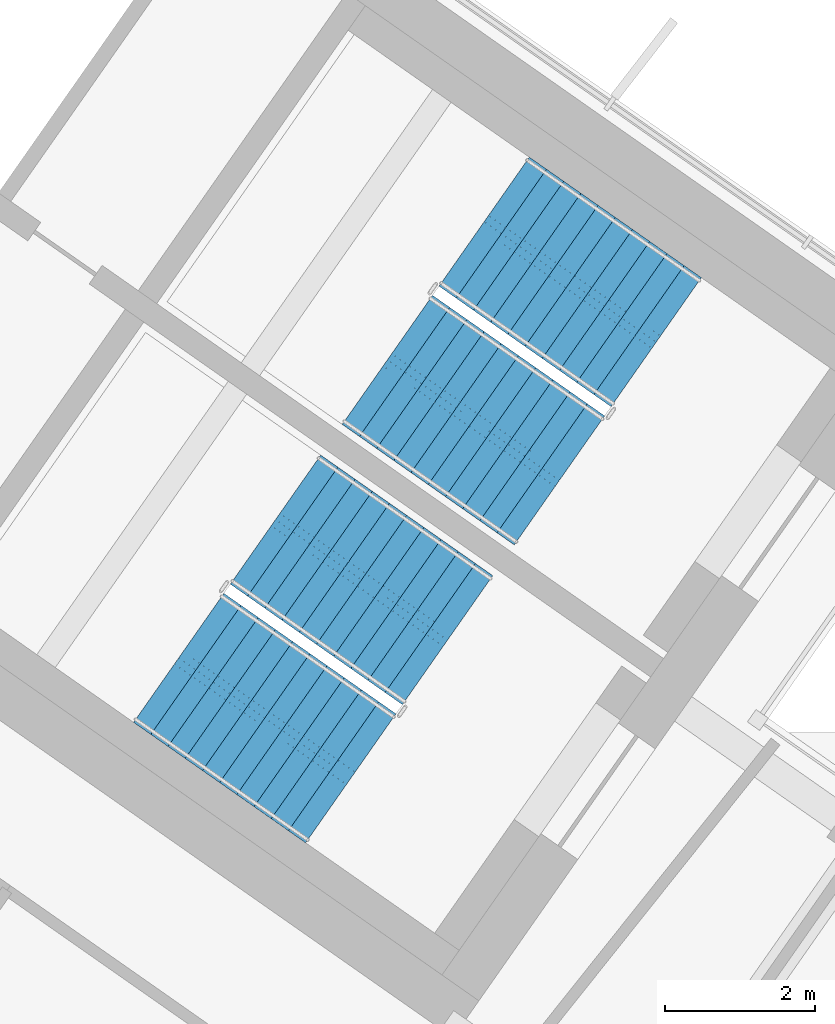
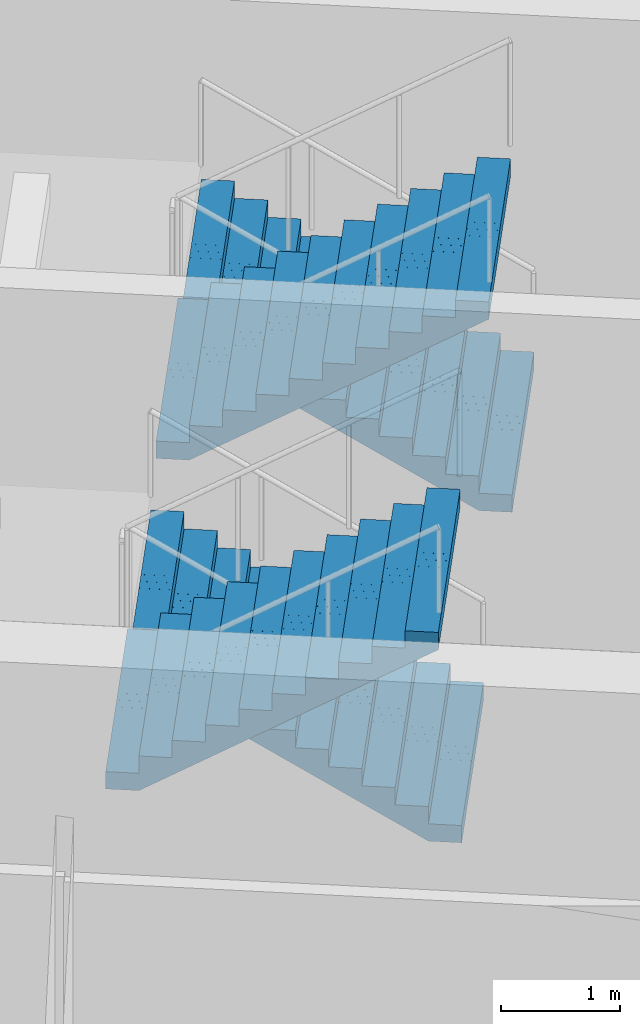
# One storey, part 12 of 18: 4 stair flights, 2 elements without a shape of their own.
"""IFC4 building model written with IfcOpenShell, lengths in metres."""

from ifc_helpers import new_model, si_unit, direction, frame, origin, place, context, subcontext, project, spatial, polyline, outline, extrude, material, type_object, element, aggregate, save


model = new_model("IFC4")

# Units and contexts
model_context = context("Model", 3, precision=1e-05, world=origin(), true_north=direction((0.0, 1.0)))
body_context = subcontext(model_context, "Body", "Model", "MODEL_VIEW")
ifc_project = project(units=[si_unit("LENGTHUNIT", "METRE"), si_unit("AREAUNIT", "SQUARE_METRE"), si_unit("VOLUMEUNIT", "CUBIC_METRE"), si_unit("PLANEANGLEUNIT", "RADIAN"), si_unit("MASSUNIT", "GRAM", prefix="KILO")], contexts=[model_context])

# Site, building, storey
site_placement = place(None, origin())
site = spatial("IfcSite", under=ifc_project, at=site_placement, CompositionType="ELEMENT")
building_placement = place(site_placement, origin())
building = spatial("IfcBuilding", under=site, at=building_placement, Name="Tel Ilan Convention Tower", CompositionType="ELEMENT")
storey_placement = place(building_placement, frame((0.0, 0.0, 299.5)))
storey = spatial("IfcBuildingStorey", under=building, at=storey_placement, Name="L71", CompositionType="ELEMENT", Elevation=299.5)

# Stair, stair flights
ifc_material_1 = material(Name="Concrete C40/50", Category="concrete")
stair_type = type_object("IfcStairType", Name="Pressurised Exit Stair 22 risers 177 mm", PredefinedType="HALF_TURN_STAIR", material=ifc_material_1)
stair_1_placement = place(storey_placement, origin())
stair_1 = element("IfcStair", 1, at=stair_1_placement, inside=storey, type_object=stair_type, Name="L71 Pressurised Stair S3", PredefinedType="HALF_TURN_STAIR")
ifc_material_2 = material(Name="Precast Concrete C40/50", Category="concrete")
stair_flight_type = type_object("IfcStairFlightType", Name="Concrete Stair Flight 2100 mm 22 risers 177 mm", PredefinedType="STRAIGHT", material=ifc_material_2)
stair_flight_1_placement = place(storey_placement, frame((24.25244140625, -7.032470703125, 0.0), z_axis=(0.0, 0.0, 1.0), x_axis=(-0.819152044289, 0.573576436351, 0.0)))
stair_flight_1 = element("IfcStairFlight", 2, at=stair_flight_1_placement, type_object=stair_flight_type, Name="S3 flight 1", NumberOfRisers=11, NumberOfTreads=10, PredefinedType="STRAIGHT", RiserHeight=0.177272727, TreadLength=0.28, context=body_context, shape_type="SweptSolid", body=[
    extrude(outline(polyline([(0.0, 0.0), (0.0, 0.17724609375), (0.280029296875, 0.17724609375), (0.280029296875, 0.3544921875), (0.56005859375, 0.3544921875), (0.56005859375, 0.53173828125), (0.840087890625, 0.53173828125), (0.840087890625, 0.708984375), (1.1201171875, 0.708984375), (1.1201171875, 0.886474609375), (1.39990234375, 0.886474609375), (1.39990234375, 1.063720703125), (1.679931640625, 1.063720703125), (1.679931640625, 1.240966796875), (1.9599609375, 1.240966796875), (1.9599609375, 1.418212890625), (2.239990234375, 1.418212890625), (2.239990234375, 1.595458984375), (2.52001953125, 1.595458984375), (2.52001953125, 1.772705078125), (2.800048828125, 1.772705078125), (2.800048828125, 1.949951171875), (2.800048828125, 1.59521484375), (0.2802734375, 0.0), (0.0, 0.0)])), frame((0.0, -0.100341796875, 0.0), z_axis=(0.0, -1.0, 0.0), x_axis=(1.0, 0.0, 0.0)), (0.0, 0.0, 1.0), 0.94970703125),
    extrude(outline(polyline([(0.0, 0.0), (0.0, 0.17724609375), (0.280029296875, 0.17724609375), (0.280029296875, 0.3544921875), (0.56005859375, 0.3544921875), (0.56005859375, 0.53173828125), (0.840087890625, 0.53173828125), (0.840087890625, 0.708984375), (1.1201171875, 0.708984375), (1.1201171875, 0.886474609375), (1.39990234375, 0.886474609375), (1.39990234375, 1.063720703125), (1.679931640625, 1.063720703125), (1.679931640625, 1.240966796875), (1.9599609375, 1.240966796875), (1.9599609375, 1.418212890625), (2.239990234375, 1.418212890625), (2.239990234375, 1.595458984375), (2.52001953125, 1.595458984375), (2.52001953125, 1.772705078125), (2.800048828125, 1.772705078125), (2.800048828125, 1.949951171875), (2.800048828125, 1.59521484375), (0.2802734375, 0.0), (0.0, 0.0)])), frame((0.0, -0.000244140625, 0.0), z_axis=(0.0, -1.0, 0.0), x_axis=(1.0, 0.0, 0.0)), (0.0, 0.0, 1.0), 0.099609375),
    extrude(outline(polyline([(0.0, 0.0), (0.0, 0.17724609375), (0.280029296875, 0.17724609375), (0.280029296875, 0.3544921875), (0.56005859375, 0.3544921875), (0.56005859375, 0.53173828125), (0.840087890625, 0.53173828125), (0.840087890625, 0.708984375), (1.1201171875, 0.708984375), (1.1201171875, 0.886474609375), (1.39990234375, 0.886474609375), (1.39990234375, 1.063720703125), (1.679931640625, 1.063720703125), (1.679931640625, 1.240966796875), (1.9599609375, 1.240966796875), (1.9599609375, 1.418212890625), (2.239990234375, 1.418212890625), (2.239990234375, 1.595458984375), (2.52001953125, 1.595458984375), (2.52001953125, 1.772705078125), (2.800048828125, 1.772705078125), (2.800048828125, 1.949951171875), (2.800048828125, 1.59521484375), (0.2802734375, 0.0), (0.0, 0.0)])), frame((0.0, 0.099853515625, 0.0), z_axis=(0.0, -1.0, 0.0), x_axis=(1.0, 0.0, 0.0)), (0.0, 0.0, 1.0), 0.099609375),
    extrude(outline(polyline([(0.0, 0.0), (0.0, 0.17724609375), (0.280029296875, 0.17724609375), (0.280029296875, 0.3544921875), (0.56005859375, 0.3544921875), (0.56005859375, 0.53173828125), (0.840087890625, 0.53173828125), (0.840087890625, 0.708984375), (1.1201171875, 0.708984375), (1.1201171875, 0.886474609375), (1.39990234375, 0.886474609375), (1.39990234375, 1.063720703125), (1.679931640625, 1.063720703125), (1.679931640625, 1.240966796875), (1.9599609375, 1.240966796875), (1.9599609375, 1.418212890625), (2.239990234375, 1.418212890625), (2.239990234375, 1.595458984375), (2.52001953125, 1.595458984375), (2.52001953125, 1.772705078125), (2.800048828125, 1.772705078125), (2.800048828125, 1.949951171875), (2.800048828125, 1.59521484375), (0.2802734375, 0.0), (0.0, 0.0)])), frame((0.0, 1.050048828125, 0.0), z_axis=(0.0, -1.0, 0.0), x_axis=(1.0, 0.0, 0.0)), (0.0, 0.0, 1.0), 0.94970703125),
])
stair_flight_2_placement = place(storey_placement, frame((20.668212890625, -7.26953125, 1.949951171875), z_axis=(0.0, 0.0, 1.0), x_axis=(0.819152044289, -0.573576436351, 0.0)))
stair_flight_2 = element("IfcStairFlight", 3, at=stair_flight_2_placement, type_object=stair_flight_type, Name="S3 flight 2", NumberOfRisers=11, NumberOfTreads=10, PredefinedType="STRAIGHT", RiserHeight=0.177272727, TreadLength=0.28, context=body_context, shape_type="SweptSolid", body=[
    extrude(outline(polyline([(0.0, 0.0), (0.0, 0.17724609375), (0.280029296875, 0.17724609375), (0.280029296875, 0.3544921875), (0.56005859375, 0.3544921875), (0.56005859375, 0.53173828125), (0.840087890625, 0.53173828125), (0.840087890625, 0.708984375), (1.1201171875, 0.708984375), (1.1201171875, 0.886474609375), (1.39990234375, 0.886474609375), (1.39990234375, 1.063720703125), (1.679931640625, 1.063720703125), (1.679931640625, 1.240966796875), (1.9599609375, 1.240966796875), (1.9599609375, 1.418212890625), (2.239990234375, 1.418212890625), (2.239990234375, 1.595458984375), (2.52001953125, 1.595458984375), (2.52001953125, 1.772705078125), (2.800048828125, 1.772705078125), (2.800048828125, 1.949951171875), (2.800048828125, 1.59521484375), (0.2802734375, 0.0), (0.0, 0.0)])), frame((0.0, -0.100341796875, 0.0), z_axis=(0.0, -1.0, 0.0), x_axis=(1.0, 0.0, 0.0)), (0.0, 0.0, 1.0), 0.94970703125),
    extrude(outline(polyline([(0.0, 0.0), (0.0, 0.17724609375), (0.280029296875, 0.17724609375), (0.280029296875, 0.3544921875), (0.56005859375, 0.3544921875), (0.56005859375, 0.53173828125), (0.840087890625, 0.53173828125), (0.840087890625, 0.708984375), (1.1201171875, 0.708984375), (1.1201171875, 0.886474609375), (1.39990234375, 0.886474609375), (1.39990234375, 1.063720703125), (1.679931640625, 1.063720703125), (1.679931640625, 1.240966796875), (1.9599609375, 1.240966796875), (1.9599609375, 1.418212890625), (2.239990234375, 1.418212890625), (2.239990234375, 1.595458984375), (2.52001953125, 1.595458984375), (2.52001953125, 1.772705078125), (2.800048828125, 1.772705078125), (2.800048828125, 1.949951171875), (2.800048828125, 1.59521484375), (0.2802734375, 0.0), (0.0, 0.0)])), frame((0.0, -0.000244140625, 0.0), z_axis=(0.0, -1.0, 0.0), x_axis=(1.0, 0.0, 0.0)), (0.0, 0.0, 1.0), 0.099609375),
    extrude(outline(polyline([(0.0, 0.0), (0.0, 0.17724609375), (0.280029296875, 0.17724609375), (0.280029296875, 0.3544921875), (0.56005859375, 0.3544921875), (0.56005859375, 0.53173828125), (0.840087890625, 0.53173828125), (0.840087890625, 0.708984375), (1.1201171875, 0.708984375), (1.1201171875, 0.886474609375), (1.39990234375, 0.886474609375), (1.39990234375, 1.063720703125), (1.679931640625, 1.063720703125), (1.679931640625, 1.240966796875), (1.9599609375, 1.240966796875), (1.9599609375, 1.418212890625), (2.239990234375, 1.418212890625), (2.239990234375, 1.595458984375), (2.52001953125, 1.595458984375), (2.52001953125, 1.772705078125), (2.800048828125, 1.772705078125), (2.800048828125, 1.949951171875), (2.800048828125, 1.59521484375), (0.2802734375, 0.0), (0.0, 0.0)])), frame((0.0, 0.099853515625, 0.0), z_axis=(0.0, -1.0, 0.0), x_axis=(1.0, 0.0, 0.0)), (0.0, 0.0, 1.0), 0.099609375),
    extrude(outline(polyline([(0.0, 0.0), (0.0, 0.17724609375), (0.280029296875, 0.17724609375), (0.280029296875, 0.3544921875), (0.56005859375, 0.3544921875), (0.56005859375, 0.53173828125), (0.840087890625, 0.53173828125), (0.840087890625, 0.708984375), (1.1201171875, 0.708984375), (1.1201171875, 0.886474609375), (1.39990234375, 0.886474609375), (1.39990234375, 1.063720703125), (1.679931640625, 1.063720703125), (1.679931640625, 1.240966796875), (1.9599609375, 1.240966796875), (1.9599609375, 1.418212890625), (2.239990234375, 1.418212890625), (2.239990234375, 1.595458984375), (2.52001953125, 1.595458984375), (2.52001953125, 1.772705078125), (2.800048828125, 1.772705078125), (2.800048828125, 1.949951171875), (2.800048828125, 1.59521484375), (0.2802734375, 0.0), (0.0, 0.0)])), frame((0.0, 1.050048828125, 0.0), z_axis=(0.0, -1.0, 0.0), x_axis=(1.0, 0.0, 0.0)), (0.0, 0.0, 1.0), 0.94970703125),
])
aggregate(stair_1, [stair_flight_1, stair_flight_2])

stair_2_placement = place(storey_placement, origin())
stair_2 = element("IfcStair", 4, at=stair_2_placement, inside=storey, type_object=stair_type, Name="L71 Pressurised Stair S4", PredefinedType="HALF_TURN_STAIR")
stair_flight_3_placement = place(storey_placement, frame((21.470458984375, -11.00537109375, 0.0), z_axis=(0.0, 0.0, 1.0), x_axis=(-0.819152044289, 0.573576436351, 0.0)))
stair_flight_3 = element("IfcStairFlight", 5, at=stair_flight_3_placement, type_object=stair_flight_type, Name="S4 flight 1", NumberOfRisers=11, NumberOfTreads=10, PredefinedType="STRAIGHT", RiserHeight=0.177272727, TreadLength=0.28, context=body_context, shape_type="SweptSolid", body=[
    extrude(outline(polyline([(0.0, 0.0), (0.0, 0.17724609375), (0.280029296875, 0.17724609375), (0.280029296875, 0.3544921875), (0.56005859375, 0.3544921875), (0.56005859375, 0.53173828125), (0.840087890625, 0.53173828125), (0.840087890625, 0.708984375), (1.1201171875, 0.708984375), (1.1201171875, 0.886474609375), (1.39990234375, 0.886474609375), (1.39990234375, 1.063720703125), (1.679931640625, 1.063720703125), (1.679931640625, 1.240966796875), (1.9599609375, 1.240966796875), (1.9599609375, 1.418212890625), (2.239990234375, 1.418212890625), (2.239990234375, 1.595458984375), (2.52001953125, 1.595458984375), (2.52001953125, 1.772705078125), (2.800048828125, 1.772705078125), (2.800048828125, 1.949951171875), (2.800048828125, 1.59521484375), (0.2802734375, 0.0), (0.0, 0.0)])), frame((0.0, -0.100341796875, 0.0), z_axis=(0.0, -1.0, 0.0), x_axis=(1.0, 0.0, 0.0)), (0.0, 0.0, 1.0), 0.94970703125),
    extrude(outline(polyline([(0.0, 0.0), (0.0, 0.17724609375), (0.280029296875, 0.17724609375), (0.280029296875, 0.3544921875), (0.56005859375, 0.3544921875), (0.56005859375, 0.53173828125), (0.840087890625, 0.53173828125), (0.840087890625, 0.708984375), (1.1201171875, 0.708984375), (1.1201171875, 0.886474609375), (1.39990234375, 0.886474609375), (1.39990234375, 1.063720703125), (1.679931640625, 1.063720703125), (1.679931640625, 1.240966796875), (1.9599609375, 1.240966796875), (1.9599609375, 1.418212890625), (2.239990234375, 1.418212890625), (2.239990234375, 1.595458984375), (2.52001953125, 1.595458984375), (2.52001953125, 1.772705078125), (2.800048828125, 1.772705078125), (2.800048828125, 1.949951171875), (2.800048828125, 1.59521484375), (0.2802734375, 0.0), (0.0, 0.0)])), frame((0.0, -0.000244140625, 0.0), z_axis=(0.0, -1.0, 0.0), x_axis=(1.0, 0.0, 0.0)), (0.0, 0.0, 1.0), 0.099609375),
    extrude(outline(polyline([(0.0, 0.0), (0.0, 0.17724609375), (0.280029296875, 0.17724609375), (0.280029296875, 0.3544921875), (0.56005859375, 0.3544921875), (0.56005859375, 0.53173828125), (0.840087890625, 0.53173828125), (0.840087890625, 0.708984375), (1.1201171875, 0.708984375), (1.1201171875, 0.886474609375), (1.39990234375, 0.886474609375), (1.39990234375, 1.063720703125), (1.679931640625, 1.063720703125), (1.679931640625, 1.240966796875), (1.9599609375, 1.240966796875), (1.9599609375, 1.418212890625), (2.239990234375, 1.418212890625), (2.239990234375, 1.595458984375), (2.52001953125, 1.595458984375), (2.52001953125, 1.772705078125), (2.800048828125, 1.772705078125), (2.800048828125, 1.949951171875), (2.800048828125, 1.59521484375), (0.2802734375, 0.0), (0.0, 0.0)])), frame((0.0, 0.099853515625, 0.0), z_axis=(0.0, -1.0, 0.0), x_axis=(1.0, 0.0, 0.0)), (0.0, 0.0, 1.0), 0.099609375),
    extrude(outline(polyline([(0.0, 0.0), (0.0, 0.17724609375), (0.280029296875, 0.17724609375), (0.280029296875, 0.3544921875), (0.56005859375, 0.3544921875), (0.56005859375, 0.53173828125), (0.840087890625, 0.53173828125), (0.840087890625, 0.708984375), (1.1201171875, 0.708984375), (1.1201171875, 0.886474609375), (1.39990234375, 0.886474609375), (1.39990234375, 1.063720703125), (1.679931640625, 1.063720703125), (1.679931640625, 1.240966796875), (1.9599609375, 1.240966796875), (1.9599609375, 1.418212890625), (2.239990234375, 1.418212890625), (2.239990234375, 1.595458984375), (2.52001953125, 1.595458984375), (2.52001953125, 1.772705078125), (2.800048828125, 1.772705078125), (2.800048828125, 1.949951171875), (2.800048828125, 1.59521484375), (0.2802734375, 0.0), (0.0, 0.0)])), frame((0.0, 1.050048828125, 0.0), z_axis=(0.0, -1.0, 0.0), x_axis=(1.0, 0.0, 0.0)), (0.0, 0.0, 1.0), 0.94970703125),
])
stair_flight_4_placement = place(storey_placement, frame((17.886474609375, -11.242431640625, 1.949951171875), z_axis=(0.0, 0.0, 1.0), x_axis=(0.819152044289, -0.573576436351, 0.0)))
stair_flight_4 = element("IfcStairFlight", 6, at=stair_flight_4_placement, type_object=stair_flight_type, Name="S4 flight 2", NumberOfRisers=11, NumberOfTreads=10, PredefinedType="STRAIGHT", RiserHeight=0.177272727, TreadLength=0.28, context=body_context, shape_type="SweptSolid", body=[
    extrude(outline(polyline([(0.0, 0.0), (0.0, 0.17724609375), (0.280029296875, 0.17724609375), (0.280029296875, 0.3544921875), (0.56005859375, 0.3544921875), (0.56005859375, 0.53173828125), (0.840087890625, 0.53173828125), (0.840087890625, 0.708984375), (1.1201171875, 0.708984375), (1.1201171875, 0.886474609375), (1.39990234375, 0.886474609375), (1.39990234375, 1.063720703125), (1.679931640625, 1.063720703125), (1.679931640625, 1.240966796875), (1.9599609375, 1.240966796875), (1.9599609375, 1.418212890625), (2.239990234375, 1.418212890625), (2.239990234375, 1.595458984375), (2.52001953125, 1.595458984375), (2.52001953125, 1.772705078125), (2.800048828125, 1.772705078125), (2.800048828125, 1.949951171875), (2.800048828125, 1.59521484375), (0.2802734375, 0.0), (0.0, 0.0)])), frame((0.0, -0.100341796875, 0.0), z_axis=(0.0, -1.0, 0.0), x_axis=(1.0, 0.0, 0.0)), (0.0, 0.0, 1.0), 0.94970703125),
    extrude(outline(polyline([(0.0, 0.0), (0.0, 0.17724609375), (0.280029296875, 0.17724609375), (0.280029296875, 0.3544921875), (0.56005859375, 0.3544921875), (0.56005859375, 0.53173828125), (0.840087890625, 0.53173828125), (0.840087890625, 0.708984375), (1.1201171875, 0.708984375), (1.1201171875, 0.886474609375), (1.39990234375, 0.886474609375), (1.39990234375, 1.063720703125), (1.679931640625, 1.063720703125), (1.679931640625, 1.240966796875), (1.9599609375, 1.240966796875), (1.9599609375, 1.418212890625), (2.239990234375, 1.418212890625), (2.239990234375, 1.595458984375), (2.52001953125, 1.595458984375), (2.52001953125, 1.772705078125), (2.800048828125, 1.772705078125), (2.800048828125, 1.949951171875), (2.800048828125, 1.59521484375), (0.2802734375, 0.0), (0.0, 0.0)])), frame((0.0, -0.000244140625, 0.0), z_axis=(0.0, -1.0, 0.0), x_axis=(1.0, 0.0, 0.0)), (0.0, 0.0, 1.0), 0.099609375),
    extrude(outline(polyline([(0.0, 0.0), (0.0, 0.17724609375), (0.280029296875, 0.17724609375), (0.280029296875, 0.3544921875), (0.56005859375, 0.3544921875), (0.56005859375, 0.53173828125), (0.840087890625, 0.53173828125), (0.840087890625, 0.708984375), (1.1201171875, 0.708984375), (1.1201171875, 0.886474609375), (1.39990234375, 0.886474609375), (1.39990234375, 1.063720703125), (1.679931640625, 1.063720703125), (1.679931640625, 1.240966796875), (1.9599609375, 1.240966796875), (1.9599609375, 1.418212890625), (2.239990234375, 1.418212890625), (2.239990234375, 1.595458984375), (2.52001953125, 1.595458984375), (2.52001953125, 1.772705078125), (2.800048828125, 1.772705078125), (2.800048828125, 1.949951171875), (2.800048828125, 1.59521484375), (0.2802734375, 0.0), (0.0, 0.0)])), frame((0.0, 0.099853515625, 0.0), z_axis=(0.0, -1.0, 0.0), x_axis=(1.0, 0.0, 0.0)), (0.0, 0.0, 1.0), 0.099609375),
    extrude(outline(polyline([(0.0, 0.0), (0.0, 0.17724609375), (0.280029296875, 0.17724609375), (0.280029296875, 0.3544921875), (0.56005859375, 0.3544921875), (0.56005859375, 0.53173828125), (0.840087890625, 0.53173828125), (0.840087890625, 0.708984375), (1.1201171875, 0.708984375), (1.1201171875, 0.886474609375), (1.39990234375, 0.886474609375), (1.39990234375, 1.063720703125), (1.679931640625, 1.063720703125), (1.679931640625, 1.240966796875), (1.9599609375, 1.240966796875), (1.9599609375, 1.418212890625), (2.239990234375, 1.418212890625), (2.239990234375, 1.595458984375), (2.52001953125, 1.595458984375), (2.52001953125, 1.772705078125), (2.800048828125, 1.772705078125), (2.800048828125, 1.949951171875), (2.800048828125, 1.59521484375), (0.2802734375, 0.0), (0.0, 0.0)])), frame((0.0, 1.050048828125, 0.0), z_axis=(0.0, -1.0, 0.0), x_axis=(1.0, 0.0, 0.0)), (0.0, 0.0, 1.0), 0.94970703125),
])
aggregate(stair_2, [stair_flight_3, stair_flight_4])

save(model, "model.ifc")
